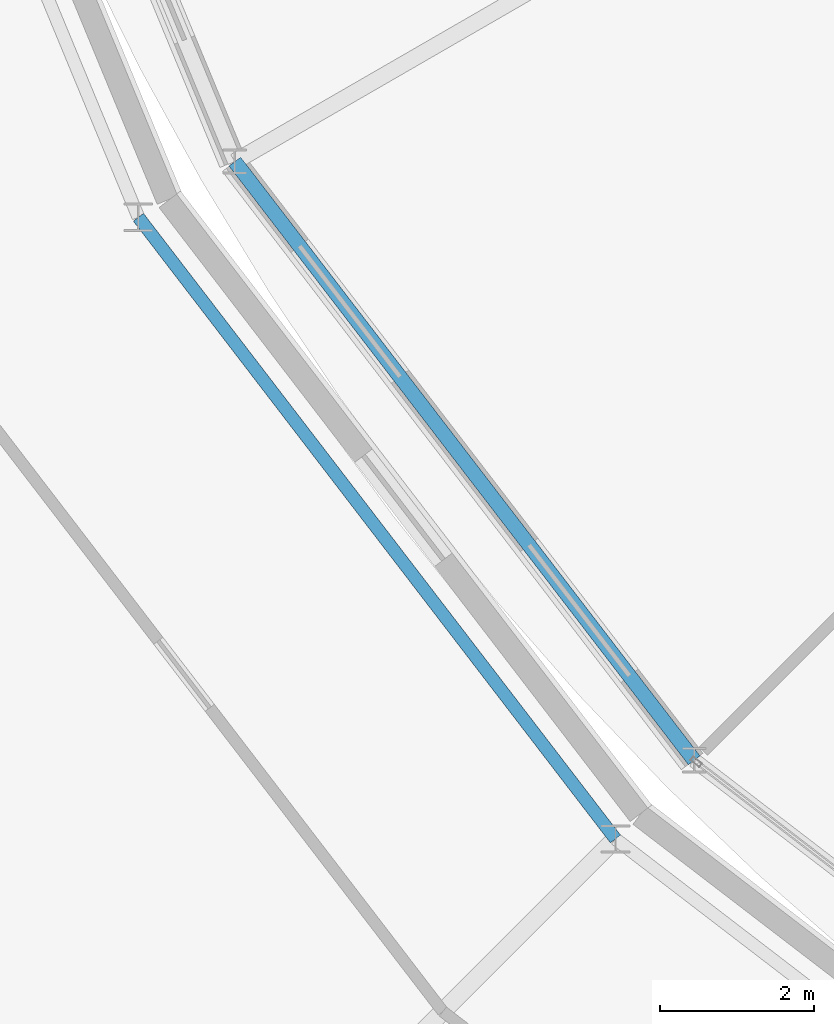
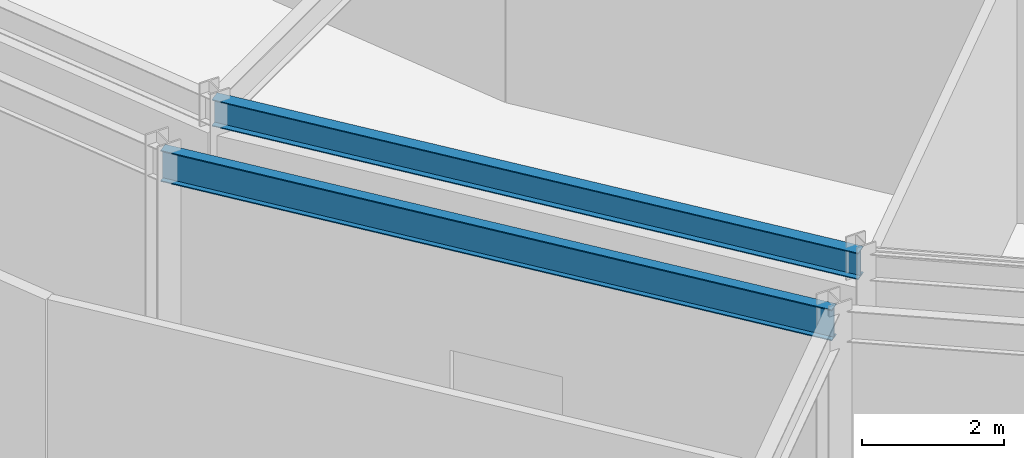
# One storey, part 31 of 168: 2 beams.
"""IFC4 building model written with IfcOpenShell, lengths in metres."""

from ifc_helpers import new_model, si_unit, direction, frame, origin, origin_2d, place, context, subcontext, project, spatial, i_section, extrude, material, material_profile, profile_set, type_object, element, save


model = new_model("IFC4")

# Units and contexts
model_context = context("Model", 3, precision=1e-05, world=origin(), true_north=direction((0.0, 1.0)))
body_context = subcontext(model_context, "Body", "Model", "MODEL_VIEW")
ifc_project = project(units=[si_unit("LENGTHUNIT", "METRE"), si_unit("AREAUNIT", "SQUARE_METRE"), si_unit("VOLUMEUNIT", "CUBIC_METRE"), si_unit("PLANEANGLEUNIT", "RADIAN"), si_unit("MASSUNIT", "GRAM", prefix="KILO")], contexts=[model_context])

# Site, building, storey
site_placement = place(None, origin())
site = spatial("IfcSite", under=ifc_project, at=site_placement, CompositionType="ELEMENT")
building_placement = place(site_placement, origin())
building = spatial("IfcBuilding", under=site, at=building_placement, Name="Almandine Court Research Institute", CompositionType="ELEMENT")
storey_placement = place(building_placement, origin())
storey = spatial("IfcBuildingStorey", under=building, at=storey_placement, Name="L00", CompositionType="ELEMENT", Elevation=0.0)

# Beams
ifc_material = material(Name="Steel ASTM A992 Grade 50", Category="steel")
ifc_material_profile_1 = material_profile(ifc_material, i_section(OverallWidth=0.18994140625, OverallDepth=0.45703125, WebThickness=0.009033203125, FlangeThickness=0.014892578125, at=origin_2d()), Name="W460x74")
ifc_profile_set_1 = profile_set([ifc_material_profile_1], Name="Steel ASTM A992 Grade 50")
beam_type_1 = type_object("IfcBeamType", Name="Beam-B-01", PredefinedType="BEAM", material=ifc_profile_set_1)
beam_1_placement = place(storey_placement, frame((54.39404296875, 37.175048828125, 4.841064453125), z_axis=(0.608711534396, -0.793391623282, 0.0), x_axis=(0.793391623282, 0.608711534396, 0.0)))
element("IfcBeam", 1, at=beam_1_placement, inside=storey, type_object=beam_type_1, Name="L00 Atrium Outer Ring Beam", PredefinedType="BEAM", context=body_context, shape_type="SweptSolid", body=[
    extrude(i_section(OverallWidth=0.18994140625, OverallDepth=0.45703125, WebThickness=0.009033203125, FlangeThickness=0.014892578125, at=origin_2d()), origin(), (0.0, 0.0, 1.0), 9.828857421875),
])
ifc_material_profile_2 = material_profile(ifc_material, i_section(OverallWidth=0.166015625, OverallDepth=0.534912109375, WebThickness=0.010009765625, FlangeThickness=0.01708984375, at=origin_2d()), Name="W530x85")
ifc_profile_set_2 = profile_set([ifc_material_profile_2], Name="Steel ASTM A992 Grade 50")
beam_type_2 = type_object("IfcBeamType", Name="Beam-G-05-E", PredefinedType="SPANDREL", material=ifc_profile_set_2)
beam_2_placement = place(storey_placement, frame((53.137939453125, 36.449951171875, 4.802978515625), z_axis=(0.608784478787, -0.793335653042, 0.0), x_axis=(0.793335653042, 0.608784478787, 0.0)))
element("IfcBeam", 2, at=beam_2_placement, inside=storey, type_object=beam_type_2, Name="L00 Drum IN Ring Beam 14", PredefinedType="SPANDREL", context=body_context, shape_type="SweptSolid", body=[
    extrude(i_section(OverallWidth=0.166015625, OverallDepth=0.534912109375, WebThickness=0.010009765625, FlangeThickness=0.01708984375, at=origin_2d()), origin(), (0.0, 0.0, 1.0), 10.20751953125),
])

save(model, "model.ifc")
